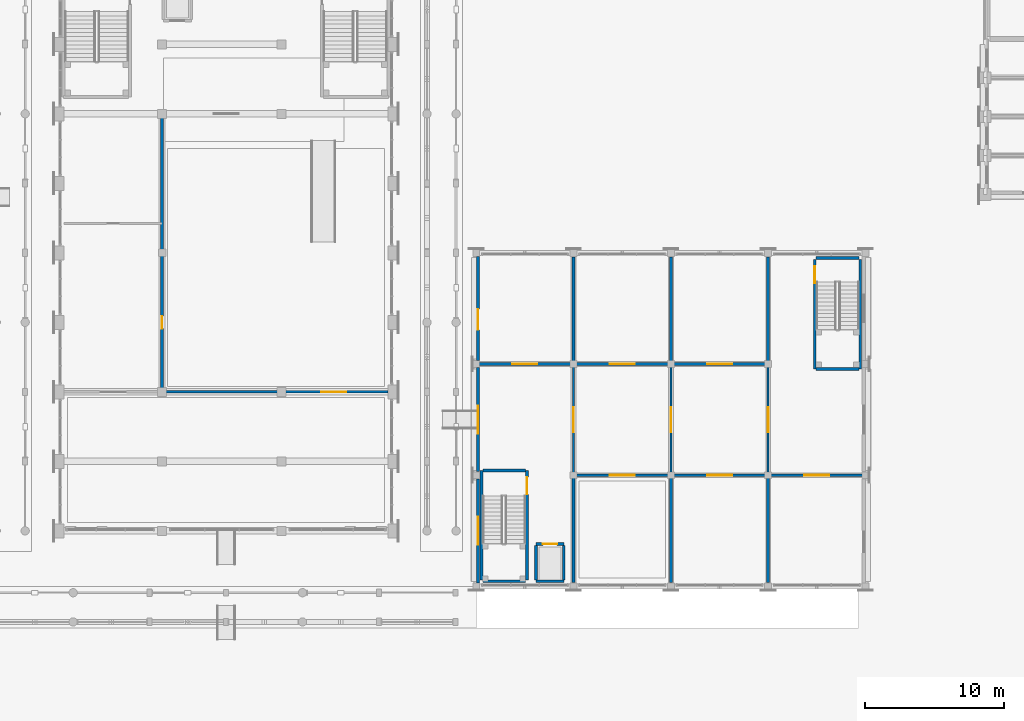
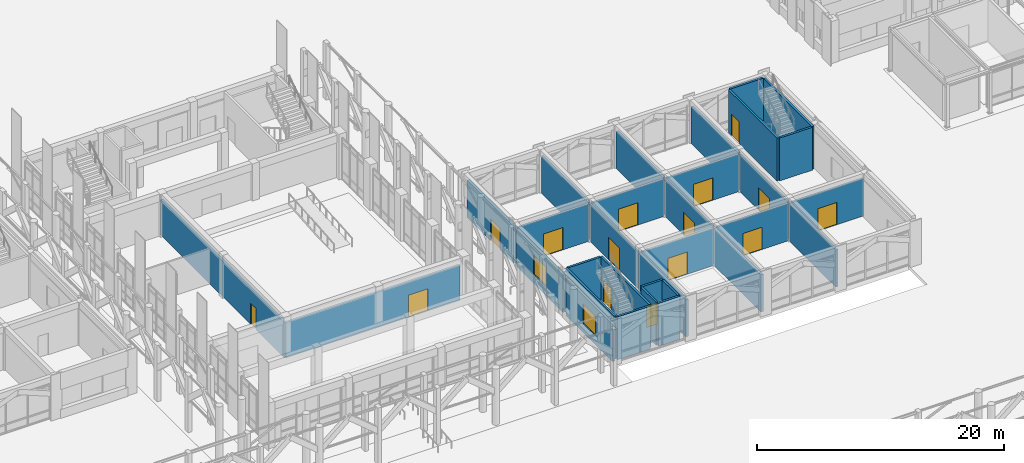
# One storey, part 96 of 135: 32 walls, 15 doors, 2 windows, 17 openings.
"""IFC4 building model written with IfcOpenShell, lengths in metres."""

from ifc_helpers import new_model, si_unit, direction, frame, frame_2d, origin, place, context, subcontext, project, spatial, rectangle, extrude, material, layer, layer_set, type_object, element, fill, save


model = new_model("IFC4")

# Units and contexts
model_context = context("Model", 3, precision=1e-05, world=origin(), true_north=direction((0.0, 1.0)))
body_context = subcontext(model_context, "Body", "Model", "MODEL_VIEW")
ifc_project = project(units=[si_unit("LENGTHUNIT", "METRE"), si_unit("AREAUNIT", "SQUARE_METRE"), si_unit("VOLUMEUNIT", "CUBIC_METRE"), si_unit("PLANEANGLEUNIT", "RADIAN"), si_unit("MASSUNIT", "GRAM", prefix="KILO")], contexts=[model_context])

# Site, building, storey
site_placement = place(None, origin())
site = spatial("IfcSite", under=ifc_project, at=site_placement, CompositionType="ELEMENT")
building_placement = place(site_placement, origin())
building = spatial("IfcBuilding", under=site, at=building_placement, Name="Kiranvali Square Residences", CompositionType="ELEMENT")
storey_placement = place(building_placement, origin())
storey = spatial("IfcBuildingStorey", under=building, at=storey_placement, Name="L00", CompositionType="ELEMENT", Elevation=0.0)

# Wall, opening, door
ifc_material_1 = material(Name="Autoclaved aerated concrete blockwork masonry", Category="masonry")
ifc_layer_1 = layer(ifc_material_1, 0.199951171875)
ifc_layer_set_1 = layer_set([ifc_layer_1], Name="Autoclaved aerated concrete blockwork masonry")
wall_type_1 = type_object("IfcWallType", Name="WL-COR-200", PredefinedType="STANDARD", material=ifc_layer_set_1)
wall_1_placement = place(storey_placement, frame((79.39990234375, 54.0, 0.0), z_axis=(0.0, 0.0, 1.0), x_axis=(1.0, 0.0, 0.0)))
wall_1 = element("IfcWall", 1, at=wall_1_placement, inside=storey, type_object=wall_type_1, Name="L00 architectural wall WL-CH-L00-FOY2", PredefinedType="STANDARD", context=body_context, shape_type="SweptSolid", body=[
    extrude(rectangle(XDim=16.25, YDim=0.199951171875, at=frame_2d((8.125, 0.0))), origin(), (0.0, 0.0, 1.0), 3.491943359375),
])
opening_1_placement = place(wall_1_placement, frame((11.449951171875, 0.0, 0.0)))
opening_1 = element("IfcOpeningElement", 2, at=opening_1_placement, cuts=wall_1, Name="Opening ED-GLZ-180", PredefinedType="OPENING", context=body_context, shape_type="SweptSolid", body=[
    extrude(rectangle(XDim=1.800048828125, YDim=2.199951171875, at=frame_2d((0.89990234375, 1.10009765625))), frame((0.0, 0.10986328125, 0.0), z_axis=(0.0, -1.0, 0.0), x_axis=(1.0, 0.0, 0.0)), (0.0, 0.0, 1.0), 0.219970703125),
])
ifc_material_2 = material(Name="Anodised bronze aluminium framing", Category="aluminium")
door_type_1 = type_object("IfcDoorType", Name="DR-GLZ-1800", OperationType="DOUBLE_DOOR_SINGLE_SWING", PredefinedType="DOOR", material=ifc_material_2)
door_1_placement = place(opening_1_placement, origin())
door_1 = element("IfcDoor", 3, at=door_1_placement, inside=storey, type_object=door_type_1, Name="L00 door DR-L00-2303 (DR-GLZ-1800)", OperationType="DOUBLE_DOOR_SINGLE_SWING", OverallHeight=2.199951171875, OverallWidth=1.800048828125, PredefinedType="DOOR", context=body_context, shape_type="SweptSolid", body=[
    extrude(rectangle(XDim=1.800048828125, YDim=2.199951171875, at=frame_2d((0.89990234375, 1.10009765625))), frame((0.0, 0.02490234375, 0.0), z_axis=(0.0, -1.0, 0.0), x_axis=(1.0, 0.0, 0.0)), (0.0, 0.0, 1.0), 0.050048828125),
])
fill(opening_1, door_1)

wall_2_placement = place(storey_placement, frame((109.14990234375, 48.0, 0.0), z_axis=(0.0, 0.0, 1.0), x_axis=(1.0, 0.0, 0.0)))
wall_2 = element("IfcWall", 4, at=wall_2_placement, inside=storey, type_object=wall_type_1, Name="L00 architectural wall WL-RT-L00-Y0-1", PredefinedType="STANDARD", context=body_context, shape_type="SweptSolid", body=[
    extrude(rectangle(XDim=6.7001953125, YDim=0.199951171875, at=frame_2d((3.35009765625, 0.0))), origin(), (0.0, 0.0, 1.0), 3.672119140625),
])
opening_2_placement = place(wall_2_placement, frame((2.449951171875, 0.0, 0.0)))
opening_2 = element("IfcOpeningElement", 5, at=opening_2_placement, cuts=wall_2, Name="Opening ED-GLZ-180", PredefinedType="OPENING", context=body_context, shape_type="SweptSolid", body=[
    extrude(rectangle(XDim=1.800048828125, YDim=2.199951171875, at=frame_2d((0.89990234375, 1.10009765625))), frame((0.0, 0.10986328125, 0.0), z_axis=(0.0, -1.0, 0.0), x_axis=(1.0, 0.0, 0.0)), (0.0, 0.0, 1.0), 0.219970703125),
])
door_2_placement = place(opening_2_placement, origin())
door_2 = element("IfcDoor", 6, at=door_2_placement, inside=storey, type_object=door_type_1, Name="L00 door DR-L00-2334 (DR-GLZ-1800)", OperationType="DOUBLE_DOOR_SINGLE_SWING", OverallHeight=2.199951171875, OverallWidth=1.800048828125, PredefinedType="DOOR", context=body_context, shape_type="SweptSolid", body=[
    extrude(rectangle(XDim=1.800048828125, YDim=2.199951171875, at=frame_2d((0.89990234375, 1.10009765625))), frame((0.0, 0.02490234375, 0.0), z_axis=(0.0, -1.0, 0.0), x_axis=(1.0, 0.0, 0.0)), (0.0, 0.0, 1.0), 0.050048828125),
])
fill(opening_2, door_2)

wall_3_placement = place(storey_placement, frame((116.14990234375, 48.0, 0.0), z_axis=(0.0, 0.0, 1.0), x_axis=(1.0, 0.0, 0.0)))
wall_3 = element("IfcWall", 7, at=wall_3_placement, inside=storey, type_object=wall_type_1, Name="L00 architectural wall WL-RT-L00-Y0-2", PredefinedType="STANDARD", context=body_context, shape_type="SweptSolid", body=[
    extrude(rectangle(XDim=6.7001953125, YDim=0.199951171875, at=frame_2d((3.35009765625, 0.0))), origin(), (0.0, 0.0, 1.0), 3.672119140625),
])
opening_3_placement = place(wall_3_placement, frame((2.449951171875, 0.0, 0.0)))
opening_3 = element("IfcOpeningElement", 8, at=opening_3_placement, cuts=wall_3, Name="Opening ED-GLZ-180", PredefinedType="OPENING", context=body_context, shape_type="SweptSolid", body=[
    extrude(rectangle(XDim=1.800048828125, YDim=2.199951171875, at=frame_2d((0.89990234375, 1.10009765625))), frame((0.0, 0.10986328125, 0.0), z_axis=(0.0, -1.0, 0.0), x_axis=(1.0, 0.0, 0.0)), (0.0, 0.0, 1.0), 0.219970703125),
])
door_3_placement = place(opening_3_placement, origin())
door_3 = element("IfcDoor", 9, at=door_3_placement, inside=storey, type_object=door_type_1, Name="L00 door DR-L00-2335 (DR-GLZ-1800)", OperationType="DOUBLE_DOOR_SINGLE_SWING", OverallHeight=2.199951171875, OverallWidth=1.800048828125, PredefinedType="DOOR", context=body_context, shape_type="SweptSolid", body=[
    extrude(rectangle(XDim=1.800048828125, YDim=2.199951171875, at=frame_2d((0.89990234375, 1.10009765625))), frame((0.0, 0.02490234375, 0.0), z_axis=(0.0, -1.0, 0.0), x_axis=(1.0, 0.0, 0.0)), (0.0, 0.0, 1.0), 0.050048828125),
])
fill(opening_3, door_3)

wall_4_placement = place(storey_placement, frame((123.14990234375, 48.0, 0.0), z_axis=(0.0, 0.0, 1.0), x_axis=(1.0, 0.0, 0.0)))
wall_4 = element("IfcWall", 10, at=wall_4_placement, inside=storey, type_object=wall_type_1, Name="L00 architectural wall WL-RT-L00-Y0-3", PredefinedType="STANDARD", context=body_context, shape_type="SweptSolid", body=[
    extrude(rectangle(XDim=6.7001953125, YDim=0.199951171875, at=frame_2d((3.35009765625, 0.0))), origin(), (0.0, 0.0, 1.0), 3.672119140625),
])
opening_4_placement = place(wall_4_placement, frame((2.449951171875, 0.0, 0.0)))
opening_4 = element("IfcOpeningElement", 11, at=opening_4_placement, cuts=wall_4, Name="Opening ED-GLZ-180", PredefinedType="OPENING", context=body_context, shape_type="SweptSolid", body=[
    extrude(rectangle(XDim=1.800048828125, YDim=2.199951171875, at=frame_2d((0.89990234375, 1.10009765625))), frame((0.0, 0.10986328125, 0.0), z_axis=(0.0, -1.0, 0.0), x_axis=(1.0, 0.0, 0.0)), (0.0, 0.0, 1.0), 0.219970703125),
])
door_4_placement = place(opening_4_placement, origin())
door_4 = element("IfcDoor", 12, at=door_4_placement, inside=storey, type_object=door_type_1, Name="L00 door DR-L00-2336 (DR-GLZ-1800)", OperationType="DOUBLE_DOOR_SINGLE_SWING", OverallHeight=2.199951171875, OverallWidth=1.800048828125, PredefinedType="DOOR", context=body_context, shape_type="SweptSolid", body=[
    extrude(rectangle(XDim=1.800048828125, YDim=2.199951171875, at=frame_2d((0.89990234375, 1.10009765625))), frame((0.0, 0.02490234375, 0.0), z_axis=(0.0, -1.0, 0.0), x_axis=(1.0, 0.0, 0.0)), (0.0, 0.0, 1.0), 0.050048828125),
])
fill(opening_4, door_4)

wall_5_placement = place(storey_placement, frame((102.14990234375, 56.0, 0.0), z_axis=(0.0, 0.0, 1.0), x_axis=(1.0, 0.0, 0.0)))
wall_5 = element("IfcWall", 13, at=wall_5_placement, inside=storey, type_object=wall_type_1, Name="L00 architectural wall WL-RT-L00-Y1-0", PredefinedType="STANDARD", context=body_context, shape_type="SweptSolid", body=[
    extrude(rectangle(XDim=6.7001953125, YDim=0.199951171875, at=frame_2d((3.35009765625, 0.0))), origin(), (0.0, 0.0, 1.0), 3.672119140625),
])
opening_5_placement = place(wall_5_placement, frame((2.449951171875, 0.0, 0.0)))
opening_5 = element("IfcOpeningElement", 14, at=opening_5_placement, cuts=wall_5, Name="Opening ED-GLZ-180", PredefinedType="OPENING", context=body_context, shape_type="SweptSolid", body=[
    extrude(rectangle(XDim=1.800048828125, YDim=2.199951171875, at=frame_2d((0.89990234375, 1.10009765625))), frame((0.0, 0.10986328125, 0.0), z_axis=(0.0, -1.0, 0.0), x_axis=(1.0, 0.0, 0.0)), (0.0, 0.0, 1.0), 0.219970703125),
])
door_5_placement = place(opening_5_placement, origin())
door_5 = element("IfcDoor", 15, at=door_5_placement, inside=storey, type_object=door_type_1, Name="L00 door DR-L00-2337 (DR-GLZ-1800)", OperationType="DOUBLE_DOOR_SINGLE_SWING", OverallHeight=2.199951171875, OverallWidth=1.800048828125, PredefinedType="DOOR", context=body_context, shape_type="SweptSolid", body=[
    extrude(rectangle(XDim=1.800048828125, YDim=2.199951171875, at=frame_2d((0.89990234375, 1.10009765625))), frame((0.0, 0.02490234375, 0.0), z_axis=(0.0, -1.0, 0.0), x_axis=(1.0, 0.0, 0.0)), (0.0, 0.0, 1.0), 0.050048828125),
])
fill(opening_5, door_5)

wall_6_placement = place(storey_placement, frame((109.14990234375, 56.0, 0.0), z_axis=(0.0, 0.0, 1.0), x_axis=(1.0, 0.0, 0.0)))
wall_6 = element("IfcWall", 16, at=wall_6_placement, inside=storey, type_object=wall_type_1, Name="L00 architectural wall WL-RT-L00-Y1-1", PredefinedType="STANDARD", context=body_context, shape_type="SweptSolid", body=[
    extrude(rectangle(XDim=6.7001953125, YDim=0.199951171875, at=frame_2d((3.35009765625, 0.0))), origin(), (0.0, 0.0, 1.0), 3.672119140625),
])
opening_6_placement = place(wall_6_placement, frame((2.449951171875, 0.0, 0.0)))
opening_6 = element("IfcOpeningElement", 17, at=opening_6_placement, cuts=wall_6, Name="Opening ED-GLZ-180", PredefinedType="OPENING", context=body_context, shape_type="SweptSolid", body=[
    extrude(rectangle(XDim=1.800048828125, YDim=2.199951171875, at=frame_2d((0.89990234375, 1.10009765625))), frame((0.0, 0.10986328125, 0.0), z_axis=(0.0, -1.0, 0.0), x_axis=(1.0, 0.0, 0.0)), (0.0, 0.0, 1.0), 0.219970703125),
])
door_6_placement = place(opening_6_placement, origin())
door_6 = element("IfcDoor", 18, at=door_6_placement, inside=storey, type_object=door_type_1, Name="L00 door DR-L00-2338 (DR-GLZ-1800)", OperationType="DOUBLE_DOOR_SINGLE_SWING", OverallHeight=2.199951171875, OverallWidth=1.800048828125, PredefinedType="DOOR", context=body_context, shape_type="SweptSolid", body=[
    extrude(rectangle(XDim=1.800048828125, YDim=2.199951171875, at=frame_2d((0.89990234375, 1.10009765625))), frame((0.0, 0.02490234375, 0.0), z_axis=(0.0, -1.0, 0.0), x_axis=(1.0, 0.0, 0.0)), (0.0, 0.0, 1.0), 0.050048828125),
])
fill(opening_6, door_6)

wall_7_placement = place(storey_placement, frame((116.14990234375, 56.0, 0.0), z_axis=(0.0, 0.0, 1.0), x_axis=(1.0, 0.0, 0.0)))
wall_7 = element("IfcWall", 19, at=wall_7_placement, inside=storey, type_object=wall_type_1, Name="L00 architectural wall WL-RT-L00-Y1-2", PredefinedType="STANDARD", context=body_context, shape_type="SweptSolid", body=[
    extrude(rectangle(XDim=6.7001953125, YDim=0.199951171875, at=frame_2d((3.35009765625, 0.0))), origin(), (0.0, 0.0, 1.0), 3.672119140625),
])
opening_7_placement = place(wall_7_placement, frame((2.449951171875, 0.0, 0.0)))
opening_7 = element("IfcOpeningElement", 20, at=opening_7_placement, cuts=wall_7, Name="Opening ED-GLZ-180", PredefinedType="OPENING", context=body_context, shape_type="SweptSolid", body=[
    extrude(rectangle(XDim=1.800048828125, YDim=2.199951171875, at=frame_2d((0.89990234375, 1.10009765625))), frame((0.0, 0.10986328125, 0.0), z_axis=(0.0, -1.0, 0.0), x_axis=(1.0, 0.0, 0.0)), (0.0, 0.0, 1.0), 0.219970703125),
])
door_7_placement = place(opening_7_placement, origin())
door_7 = element("IfcDoor", 21, at=door_7_placement, inside=storey, type_object=door_type_1, Name="L00 door DR-L00-2339 (DR-GLZ-1800)", OperationType="DOUBLE_DOOR_SINGLE_SWING", OverallHeight=2.199951171875, OverallWidth=1.800048828125, PredefinedType="DOOR", context=body_context, shape_type="SweptSolid", body=[
    extrude(rectangle(XDim=1.800048828125, YDim=2.199951171875, at=frame_2d((0.89990234375, 1.10009765625))), frame((0.0, 0.02490234375, 0.0), z_axis=(0.0, -1.0, 0.0), x_axis=(1.0, 0.0, 0.0)), (0.0, 0.0, 1.0), 0.050048828125),
])
fill(opening_7, door_7)

ifc_layer_2 = layer(ifc_material_1, 0.219970703125)
ifc_layer_set_2 = layer_set([ifc_layer_2], Name="Autoclaved aerated concrete blockwork masonry")
wall_type_2 = type_object("IfcWallType", Name="WL-DEM-220", PredefinedType="STANDARD", material=ifc_layer_set_2)
wall_8_placement = place(storey_placement, frame((79.39990234375, 54.0, 0.0), z_axis=(0.0, 0.0, 1.0), x_axis=(0.0, 1.0, 0.0)))
wall_8 = element("IfcWall", 22, at=wall_8_placement, inside=storey, type_object=wall_type_2, Name="L00 architectural wall WL-CH-L00-DIV", PredefinedType="STANDARD", context=body_context, shape_type="SweptSolid", body=[
    extrude(rectangle(XDim=20.0, YDim=0.219970703125, at=frame_2d((10.0, 0.0))), origin(), (0.0, 0.0, 1.0), 3.491943359375),
])
opening_8_placement = place(wall_8_placement, frame((4.550048828125, 0.0, 0.0)))
opening_8 = element("IfcOpeningElement", 23, at=opening_8_placement, cuts=wall_8, Name="Opening ID-1", PredefinedType="OPENING", context=body_context, shape_type="SweptSolid", body=[
    extrude(rectangle(XDim=0.89990234375, YDim=2.10009765625, at=frame_2d((0.449951171875, 1.050048828125))), frame((0.0, 0.119873046875, 0.0), z_axis=(0.0, -1.0, 0.0), x_axis=(1.0, 0.0, 0.0)), (0.0, 0.0, 1.0), 0.239990234375),
])
ifc_material_3 = material(Name="Solid seasoned teak hardwood joinery", Category="wood")
door_type_2 = type_object("IfcDoorType", Name="DR-INT-900", OperationType="NOTDEFINED", PredefinedType="DOOR", material=ifc_material_3)
door_8_placement = place(opening_8_placement, frame((0.89990234375, 0.0, 0.0), z_axis=(0.0, 0.0, 1.0), x_axis=(-1.0, 0.0, 0.0)))
door_8 = element("IfcDoor", 24, at=door_8_placement, inside=storey, type_object=door_type_2, Name="L00 door DR-L00-2304 (DR-INT-900)", OperationType="SINGLE_SWING_RIGHT", OverallHeight=2.10009765625, OverallWidth=0.89990234375, PredefinedType="DOOR", context=body_context, shape_type="SweptSolid", body=[
    extrude(rectangle(XDim=0.89990234375, YDim=2.10009765625, at=frame_2d((0.449951171875, 1.050048828125))), frame((0.0, 0.02490234375, 0.0), z_axis=(0.0, -1.0, 0.0), x_axis=(1.0, 0.0, 0.0)), (0.0, 0.0, 1.0), 0.050048828125),
])
fill(opening_8, door_8)

# Walls
for number, where, z_axis, x_axis, name in (
    (25, (109.0, 40.300048828125, 0.0), (0.0, 0.0, 1.0), (0.0, 1.0, 0.0), "L00 architectural wall WL-RT-L00-X1-S"),
    (26, (109.0, 56.10009765625, 0.0), (0.0, 0.0, 1.0), (0.0, 1.0, 0.0), "L00 architectural wall WL-RT-L00-X1-N"),
    (27, (116.0, 40.300048828125, 0.0), (0.0, 0.0, 1.0), (0.0, 1.0, 0.0), "L00 architectural wall WL-RT-L00-X2-S"),
    (28, (116.0, 56.10009765625, 0.0), (0.0, 0.0, 1.0), (0.0, 1.0, 0.0), "L00 architectural wall WL-RT-L00-X2-N"),
    (29, (123.0, 40.300048828125, 0.0), (0.0, 0.0, 1.0), (0.0, 1.0, 0.0), "L00 architectural wall WL-RT-L00-X3-S"),
    (30, (123.0, 56.10009765625, 0.0), (0.0, 0.0, 1.0), (0.0, 1.0, 0.0), "L00 architectural wall WL-RT-L00-X3-N"),
):
    element("IfcWall", number, at=place(storey_placement, frame(where, z_axis=z_axis, x_axis=x_axis)), inside=storey, type_object=wall_type_2, Name=name, PredefinedType="STANDARD", context=body_context, shape_type="SweptSolid", body=[
        extrude(rectangle(XDim=7.599853515625, YDim=0.219970703125, at=frame_2d((3.7998046875, 0.0))), origin(), (0.0, 0.0, 1.0), 3.672119140625),
    ])

# Wall, opening, window
ifc_material_4 = material(Name="Breathable lime-rendered clay brick masonry", Category="masonry")
ifc_layer_3 = layer(ifc_material_4, 0.25)
ifc_layer_set_3 = layer_set([ifc_layer_3], Name="Breathable lime-rendered clay brick masonry")
wall_type_3 = type_object("IfcWallType", Name="WL-EXT-250", PredefinedType="STANDARD", material=ifc_layer_set_3)
wall_9_placement = place(storey_placement, frame((102.125, 40.25341796875, 0.0), z_axis=(0.0, 0.0, 1.0), x_axis=(0.0, 1.0, 0.0)))
wall_9 = element("IfcWall", 31, at=wall_9_placement, inside=storey, type_object=wall_type_3, Name="L00 exterior wall RT-L00-W-0", PredefinedType="STANDARD", context=body_context, shape_type="SweptSolid", body=[
    extrude(rectangle(XDim=7.4931640625, YDim=0.25, at=frame_2d((3.74658203125, 0.0))), origin(), (0.0, 0.0, 1.0), 3.672119140625),
])
opening_9_placement = place(wall_9_placement, frame((2.74658203125, 0.0, 0.8798828125)))
opening_9 = element("IfcOpeningElement", 32, at=opening_9_placement, cuts=wall_9, Name="Opening W-08", PredefinedType="OPENING", context=body_context, shape_type="SweptSolid", body=[
    extrude(rectangle(XDim=2.0, YDim=1.949951171875, at=frame_2d((1.0, 0.97509765625))), frame((0.0, 0.135009765625, 0.0), z_axis=(0.0, -1.0, 0.0), x_axis=(1.0, 0.0, 0.0)), (0.0, 0.0, 1.0), 0.27001953125),
])
ifc_material_5 = material(Name="Solar-control low-e double glazing", Category="glass")
window_type = type_object("IfcWindowType", Name="WIN-PAV-2000x1950", PartitioningType="TRIPLE_PANEL_VERTICAL", PredefinedType="WINDOW", material=ifc_material_5)
window_1_placement = place(opening_9_placement, origin())
window_1 = element("IfcWindow", 33, at=window_1_placement, inside=storey, type_object=window_type, Name="L00 recessed window RT-L00-W-0", OverallHeight=1.949951171875, OverallWidth=2.0, PartitioningType="TRIPLE_PANEL_VERTICAL", PredefinedType="WINDOW", context=body_context, shape_type="SweptSolid", body=[
    extrude(rectangle(XDim=2.0, YDim=1.949951171875, at=frame_2d((1.0, 0.97509765625))), frame((0.0, 0.030029296875, 0.0), z_axis=(0.0, -1.0, 0.0), x_axis=(1.0, 0.0, 0.0)), (0.0, 0.0, 1.0), 0.06005859375),
])
fill(opening_9, window_1)

wall_10_placement = place(storey_placement, frame((102.125, 48.25341796875, 0.0), z_axis=(0.0, 0.0, 1.0), x_axis=(0.0, 1.0, 0.0)))
wall_10 = element("IfcWall", 34, at=wall_10_placement, inside=storey, type_object=wall_type_3, Name="L00 exterior wall RT-L00-W-1", PredefinedType="STANDARD", context=body_context, shape_type="SweptSolid", body=[
    extrude(rectangle(XDim=7.4931640625, YDim=0.25, at=frame_2d((3.74658203125, 0.0))), origin(), (0.0, 0.0, 1.0), 3.672119140625),
])
opening_10_placement = place(wall_10_placement, frame((2.74658203125, 0.0, 0.8798828125)))
opening_10 = element("IfcOpeningElement", 35, at=opening_10_placement, cuts=wall_10, Name="Opening W-08", PredefinedType="OPENING", context=body_context, shape_type="SweptSolid", body=[
    extrude(rectangle(XDim=2.0, YDim=1.949951171875, at=frame_2d((1.0, 0.97509765625))), frame((0.0, 0.135009765625, 0.0), z_axis=(0.0, -1.0, 0.0), x_axis=(1.0, 0.0, 0.0)), (0.0, 0.0, 1.0), 0.27001953125),
])
window_2_placement = place(opening_10_placement, origin())
window_2 = element("IfcWindow", 36, at=window_2_placement, inside=storey, type_object=window_type, Name="L00 recessed window RT-L00-W-1", OverallHeight=1.949951171875, OverallWidth=2.0, PartitioningType="TRIPLE_PANEL_VERTICAL", PredefinedType="WINDOW", context=body_context, shape_type="SweptSolid", body=[
    extrude(rectangle(XDim=2.0, YDim=1.949951171875, at=frame_2d((1.0, 0.97509765625))), frame((0.0, 0.030029296875, 0.0), z_axis=(0.0, -1.0, 0.0), x_axis=(1.0, 0.0, 0.0)), (0.0, 0.0, 1.0), 0.06005859375),
])
fill(opening_10, window_2)

# Wall, opening, door
wall_11_placement = place(storey_placement, frame((102.125, 56.25341796875, 0.0), z_axis=(0.0, 0.0, 1.0), x_axis=(0.0, 1.0, 0.0)))
wall_11 = element("IfcWall", 37, at=wall_11_placement, inside=storey, type_object=wall_type_3, Name="L00 exterior wall RT-L00-W-2", PredefinedType="STANDARD", context=body_context, shape_type="SweptSolid", body=[
    extrude(rectangle(XDim=7.4931640625, YDim=0.25, at=frame_2d((3.74658203125, 0.0))), origin(), (0.0, 0.0, 1.0), 3.672119140625),
])
opening_11_placement = place(wall_11_placement, frame((2.199951171875, 0.0, 0.0)))
opening_11 = element("IfcOpeningElement", 38, at=opening_11_placement, cuts=wall_11, Name="Opening ED-EX-150", PredefinedType="OPENING", context=body_context, shape_type="SweptSolid", body=[
    extrude(rectangle(XDim=1.5, YDim=2.14990234375, at=frame_2d((0.75, 1.074951171875))), frame((0.0, 0.135009765625, 0.0), z_axis=(0.0, -1.0, 0.0), x_axis=(1.0, 0.0, 0.0)), (0.0, 0.0, 1.0), 0.27001953125),
])
ifc_material_6 = material(Name="Fire-rated acoustic hardwood and mineral-core door assembly", Category="wood")
door_type_3 = type_object("IfcDoorType", Name="DR-EXIT-1500", OperationType="NOTDEFINED", PredefinedType="DOOR", material=ifc_material_6)
door_9_placement = place(opening_11_placement, origin())
door_9 = element("IfcDoor", 39, at=door_9_placement, inside=storey, type_object=door_type_3, Name="RT pavilion ground final exit door", OperationType="SINGLE_SWING_RIGHT", OverallHeight=2.14990234375, OverallWidth=1.5, PredefinedType="DOOR", context=body_context, shape_type="SweptSolid", body=[
    extrude(rectangle(XDim=1.5, YDim=2.14990234375, at=frame_2d((0.75, 1.074951171875))), frame((0.0, 0.02490234375, 0.0), z_axis=(0.0, -1.0, 0.0), x_axis=(1.0, 0.0, 0.0)), (0.0, 0.0, 1.0), 0.050048828125),
])
fill(opening_11, door_9)

ifc_material_7 = material(Name="Acoustic gypsum board drylined partition", Category="gypsum")
ifc_layer_4 = layer(ifc_material_7, 0.14990234375)
ifc_layer_set_4 = layer_set([ifc_layer_4], Name="Acoustic gypsum board drylined partition")
wall_type_4 = type_object("IfcWallType", Name="WL-PRT-150", PredefinedType="PARTITIONING", material=ifc_layer_set_4)
wall_12_placement = place(storey_placement, frame((109.0, 48.10009765625, 0.0), z_axis=(0.0, 0.0, 1.0), x_axis=(0.0, 1.0, 0.0)))
wall_12 = element("IfcWall", 40, at=wall_12_placement, inside=storey, type_object=wall_type_4, Name="L00 architectural wall WL-RT-L00-X1-M", PredefinedType="PARTITIONING", context=body_context, shape_type="SweptSolid", body=[
    extrude(rectangle(XDim=7.7998046875, YDim=0.14990234375, at=frame_2d((3.89990234375, 0.0))), origin(), (0.0, 0.0, 1.0), 3.672119140625),
])
opening_12_placement = place(wall_12_placement, frame((3.0, 0.0, 0.0)))
opening_12 = element("IfcOpeningElement", 41, at=opening_12_placement, cuts=wall_12, Name="Opening ED-GLZ-180", PredefinedType="OPENING", context=body_context, shape_type="SweptSolid", body=[
    extrude(rectangle(XDim=1.800048828125, YDim=2.199951171875, at=frame_2d((0.89990234375, 1.10009765625))), frame((0.0, 0.0849609375, 0.0), z_axis=(0.0, -1.0, 0.0), x_axis=(1.0, 0.0, 0.0)), (0.0, 0.0, 1.0), 0.169921875),
])
door_10_placement = place(opening_12_placement, origin())
door_10 = element("IfcDoor", 42, at=door_10_placement, inside=storey, type_object=door_type_1, Name="L00 door DR-L00-2340 (DR-GLZ-1800)", OperationType="DOUBLE_DOOR_SINGLE_SWING", OverallHeight=2.199951171875, OverallWidth=1.800048828125, PredefinedType="DOOR", context=body_context, shape_type="SweptSolid", body=[
    extrude(rectangle(XDim=1.800048828125, YDim=2.199951171875, at=frame_2d((0.89990234375, 1.10009765625))), frame((0.0, 0.02490234375, 0.0), z_axis=(0.0, -1.0, 0.0), x_axis=(1.0, 0.0, 0.0)), (0.0, 0.0, 1.0), 0.050048828125),
])
fill(opening_12, door_10)

wall_13_placement = place(storey_placement, frame((116.0, 48.10009765625, 0.0), z_axis=(0.0, 0.0, 1.0), x_axis=(0.0, 1.0, 0.0)))
wall_13 = element("IfcWall", 43, at=wall_13_placement, inside=storey, type_object=wall_type_4, Name="L00 architectural wall WL-RT-L00-X2-M", PredefinedType="PARTITIONING", context=body_context, shape_type="SweptSolid", body=[
    extrude(rectangle(XDim=7.7998046875, YDim=0.14990234375, at=frame_2d((3.89990234375, 0.0))), origin(), (0.0, 0.0, 1.0), 3.672119140625),
])
opening_13_placement = place(wall_13_placement, frame((3.0, 0.0, 0.0)))
opening_13 = element("IfcOpeningElement", 44, at=opening_13_placement, cuts=wall_13, Name="Opening ED-GLZ-180", PredefinedType="OPENING", context=body_context, shape_type="SweptSolid", body=[
    extrude(rectangle(XDim=1.800048828125, YDim=2.199951171875, at=frame_2d((0.89990234375, 1.10009765625))), frame((0.0, 0.0849609375, 0.0), z_axis=(0.0, -1.0, 0.0), x_axis=(1.0, 0.0, 0.0)), (0.0, 0.0, 1.0), 0.169921875),
])
door_11_placement = place(opening_13_placement, origin())
door_11 = element("IfcDoor", 45, at=door_11_placement, inside=storey, type_object=door_type_1, Name="L00 door DR-L00-2341 (DR-GLZ-1800)", OperationType="DOUBLE_DOOR_SINGLE_SWING", OverallHeight=2.199951171875, OverallWidth=1.800048828125, PredefinedType="DOOR", context=body_context, shape_type="SweptSolid", body=[
    extrude(rectangle(XDim=1.800048828125, YDim=2.199951171875, at=frame_2d((0.89990234375, 1.10009765625))), frame((0.0, 0.02490234375, 0.0), z_axis=(0.0, -1.0, 0.0), x_axis=(1.0, 0.0, 0.0)), (0.0, 0.0, 1.0), 0.050048828125),
])
fill(opening_13, door_11)

wall_14_placement = place(storey_placement, frame((123.0, 48.10009765625, 0.0), z_axis=(0.0, 0.0, 1.0), x_axis=(0.0, 1.0, 0.0)))
wall_14 = element("IfcWall", 46, at=wall_14_placement, inside=storey, type_object=wall_type_4, Name="L00 architectural wall WL-RT-L00-X3-M", PredefinedType="PARTITIONING", context=body_context, shape_type="SweptSolid", body=[
    extrude(rectangle(XDim=7.7998046875, YDim=0.14990234375, at=frame_2d((3.89990234375, 0.0))), origin(), (0.0, 0.0, 1.0), 3.672119140625),
])
opening_14_placement = place(wall_14_placement, frame((3.0, 0.0, 0.0)))
opening_14 = element("IfcOpeningElement", 47, at=opening_14_placement, cuts=wall_14, Name="Opening ED-GLZ-180", PredefinedType="OPENING", context=body_context, shape_type="SweptSolid", body=[
    extrude(rectangle(XDim=1.800048828125, YDim=2.199951171875, at=frame_2d((0.89990234375, 1.10009765625))), frame((0.0, 0.0849609375, 0.0), z_axis=(0.0, -1.0, 0.0), x_axis=(1.0, 0.0, 0.0)), (0.0, 0.0, 1.0), 0.169921875),
])
door_12_placement = place(opening_14_placement, origin())
door_12 = element("IfcDoor", 48, at=door_12_placement, inside=storey, type_object=door_type_1, Name="L00 door DR-L00-2342 (DR-GLZ-1800)", OperationType="DOUBLE_DOOR_SINGLE_SWING", OverallHeight=2.199951171875, OverallWidth=1.800048828125, PredefinedType="DOOR", context=body_context, shape_type="SweptSolid", body=[
    extrude(rectangle(XDim=1.800048828125, YDim=2.199951171875, at=frame_2d((0.89990234375, 1.10009765625))), frame((0.0, 0.02490234375, 0.0), z_axis=(0.0, -1.0, 0.0), x_axis=(1.0, 0.0, 0.0)), (0.0, 0.0, 1.0), 0.050048828125),
])
fill(opening_14, door_12)

# Walls
ifc_layer_5 = layer(ifc_material_1, 0.199951171875)
ifc_layer_set_5 = layer_set([ifc_layer_5], Name="Autoclaved aerated concrete blockwork masonry")
wall_type_5 = type_object("IfcWallType", Name="WL-SHF-200", PredefinedType="STANDARD", material=ifc_layer_set_5)
wall_15_placement = place(storey_placement, frame((102.3798828125, 40.47998046875, 0.0), z_axis=(0.0, 0.0, 1.0), x_axis=(0.0, 1.0, 0.0)))
element("IfcWall", 49, at=wall_15_placement, inside=storey, type_object=wall_type_5, Name="L00 architectural wall WL-RT-L00-S1W", PredefinedType="STANDARD", context=body_context, shape_type="SweptSolid", body=[
    extrude(rectangle(XDim=7.8701171875, YDim=0.199951171875, at=frame_2d((3.93505859375, 0.0))), origin(), (0.0, 0.0, 1.0), 4.239990234375),
])
for number, where, z_axis, x_axis, name in (
    (50, (102.47998046875, 40.3701171875, 0.0), (0.0, 0.0, 1.0), (1.0, 0.0, 0.0), "L00 architectural wall WL-RT-L00-S1S"),
    (51, (102.47998046875, 48.35009765625, 0.0), (0.0, 0.0, 1.0), (1.0, 0.0, 0.0), "L00 architectural wall WL-RT-L00-S1N"),
):
    element("IfcWall", number, at=place(storey_placement, frame(where, z_axis=z_axis, x_axis=x_axis)), inside=storey, type_object=wall_type_5, Name=name, PredefinedType="STANDARD", context=body_context, shape_type="SweptSolid", body=[
        extrude(rectangle(XDim=3.070068359375, YDim=0.199951171875, at=frame_2d((1.53515625, 0.0))), origin(), (0.0, 0.0, 1.0), 4.239990234375),
    ])

# Wall, opening, door
wall_16_placement = place(storey_placement, frame((105.64990234375, 40.47998046875, 0.0), z_axis=(0.0, 0.0, 1.0), x_axis=(0.0, 1.0, 0.0)))
wall_16 = element("IfcWall", 52, at=wall_16_placement, inside=storey, type_object=wall_type_5, Name="L00 architectural wall WL-RT-L00-S1E", PredefinedType="STANDARD", context=body_context, shape_type="SweptSolid", body=[
    extrude(rectangle(XDim=7.8701171875, YDim=0.199951171875, at=frame_2d((3.93505859375, 0.0))), origin(), (0.0, 0.0, 1.0), 4.239990234375),
])
opening_15_placement = place(wall_16_placement, frame((6.148193359375, 0.0, 0.0)))
opening_15 = element("IfcOpeningElement", 53, at=opening_15_placement, cuts=wall_16, Name="Opening FD-ST-120", PredefinedType="OPENING", context=body_context, shape_type="SweptSolid", body=[
    extrude(rectangle(XDim=1.239990234375, YDim=2.14990234375, at=frame_2d((0.6201171875, 1.074951171875))), frame((0.0, 0.10986328125, 0.0), z_axis=(0.0, -1.0, 0.0), x_axis=(1.0, 0.0, 0.0)), (0.0, 0.0, 1.0), 0.219970703125),
])
door_type_4 = type_object("IfcDoorType", Name="DR-FD120-1200", OperationType="NOTDEFINED", PredefinedType="DOOR", material=ifc_material_6)
door_13_placement = place(opening_15_placement, origin())
door_13 = element("IfcDoor", 54, at=door_13_placement, inside=storey, type_object=door_type_4, Name="L00 door DR-L00-2331 (DR-FD120-1200)", OperationType="SINGLE_SWING_LEFT", OverallHeight=2.14990234375, OverallWidth=1.239990234375, PredefinedType="DOOR", context=body_context, shape_type="SweptSolid", body=[
    extrude(rectangle(XDim=1.239990234375, YDim=2.14990234375, at=frame_2d((0.6201171875, 1.074951171875))), frame((0.0, 0.02490234375, 0.0), z_axis=(0.0, -1.0, 0.0), x_axis=(1.0, 0.0, 0.0)), (0.0, 0.0, 1.0), 0.050048828125),
])
fill(opening_15, door_13)

# Walls
wall_17_placement = place(storey_placement, frame((129.6201171875, 55.64990234375, 0.0), z_axis=(0.0, 0.0, 1.0), x_axis=(0.0, 1.0, 0.0)))
element("IfcWall", 55, at=wall_17_placement, inside=storey, type_object=wall_type_5, Name="L00 architectural wall WL-RT-L00-S2E", PredefinedType="STANDARD", context=body_context, shape_type="SweptSolid", body=[
    extrude(rectangle(XDim=7.8701171875, YDim=0.199951171875, at=frame_2d((3.93505859375, 0.0))), origin(), (0.0, 0.0, 1.0), 4.239990234375),
])
for number, where, z_axis, x_axis, name in (
    (56, (126.449951171875, 63.6298828125, 0.0), (0.0, 0.0, 1.0), (1.0, 0.0, 0.0), "L00 architectural wall WL-RT-L00-S2N"),
    (57, (126.449951171875, 55.64990234375, 0.0), (0.0, 0.0, 1.0), (1.0, 0.0, 0.0), "L00 architectural wall WL-RT-L00-S2S"),
):
    element("IfcWall", number, at=place(storey_placement, frame(where, z_axis=z_axis, x_axis=x_axis)), inside=storey, type_object=wall_type_5, Name=name, PredefinedType="STANDARD", context=body_context, shape_type="SweptSolid", body=[
        extrude(rectangle(XDim=3.070068359375, YDim=0.199951171875, at=frame_2d((1.53515625, 0.0))), origin(), (0.0, 0.0, 1.0), 4.239990234375),
    ])

# Wall, opening, door
wall_18_placement = place(storey_placement, frame((126.35009765625, 55.64990234375, 0.0), z_axis=(0.0, 0.0, 1.0), x_axis=(0.0, 1.0, 0.0)))
wall_18 = element("IfcWall", 58, at=wall_18_placement, inside=storey, type_object=wall_type_5, Name="L00 architectural wall WL-RT-L00-S2W", PredefinedType="STANDARD", context=body_context, shape_type="SweptSolid", body=[
    extrude(rectangle(XDim=7.8701171875, YDim=0.199951171875, at=frame_2d((3.93505859375, 0.0))), origin(), (0.0, 0.0, 1.0), 4.239990234375),
])
opening_16_placement = place(wall_18_placement, frame((6.148193359375, 0.0, 0.0)))
opening_16 = element("IfcOpeningElement", 59, at=opening_16_placement, cuts=wall_18, Name="Opening FD-ST-120", PredefinedType="OPENING", context=body_context, shape_type="SweptSolid", body=[
    extrude(rectangle(XDim=1.239990234375, YDim=2.14990234375, at=frame_2d((0.6201171875, 1.074951171875))), frame((0.0, 0.10986328125, 0.0), z_axis=(0.0, -1.0, 0.0), x_axis=(1.0, 0.0, 0.0)), (0.0, 0.0, 1.0), 0.219970703125),
])
door_14_placement = place(opening_16_placement, frame((1.239990234375, 0.0, 0.0), z_axis=(0.0, 0.0, 1.0), x_axis=(-1.0, 0.0, 0.0)))
door_14 = element("IfcDoor", 60, at=door_14_placement, inside=storey, type_object=door_type_4, Name="L00 door DR-L00-2332 (DR-FD120-1200)", OperationType="SINGLE_SWING_RIGHT", OverallHeight=2.14990234375, OverallWidth=1.239990234375, PredefinedType="DOOR", context=body_context, shape_type="SweptSolid", body=[
    extrude(rectangle(XDim=1.239990234375, YDim=2.14990234375, at=frame_2d((0.6201171875, 1.074951171875))), frame((0.0, 0.02490234375, 0.0), z_axis=(0.0, -1.0, 0.0), x_axis=(1.0, 0.0, 0.0)), (0.0, 0.0, 1.0), 0.050048828125),
])
fill(opening_16, door_14)

wall_19_placement = place(storey_placement, frame((106.300048828125, 43.050048828125, 0.0), z_axis=(0.0, 0.0, 1.0), x_axis=(1.0, 0.0, 0.0)))
wall_19 = element("IfcWall", 61, at=wall_19_placement, inside=storey, type_object=wall_type_5, Name="L00 architectural wall WL-RT-L00-LFN", PredefinedType="STANDARD", context=body_context, shape_type="SweptSolid", body=[
    extrude(rectangle(XDim=2.0, YDim=0.199951171875, at=frame_2d((1.0, 0.0))), origin(), (0.0, 0.0, 1.0), 4.239990234375),
])
opening_17_placement = place(wall_19_placement, frame((0.489990234375, 0.0, 0.0)))
opening_17 = element("IfcOpeningElement", 62, at=opening_17_placement, cuts=wall_19, Name="Opening LD-PAX-100", PredefinedType="OPENING", context=body_context, shape_type="SweptSolid", body=[
    extrude(rectangle(XDim=1.02001953125, YDim=2.14990234375, at=frame_2d((0.510009765625, 1.074951171875))), frame((0.0, 0.10986328125, 0.0), z_axis=(0.0, -1.0, 0.0), x_axis=(1.0, 0.0, 0.0)), (0.0, 0.0, 1.0), 0.219970703125),
])
door_type_5 = type_object("IfcDoorType", Name="DR-LIFT-1000", OperationType="SLIDING_TO_RIGHT", PredefinedType="DOOR", material=ifc_material_6)
door_15_placement = place(opening_17_placement, origin())
door_15 = element("IfcDoor", 63, at=door_15_placement, inside=storey, type_object=door_type_5, Name="L00 door DR-L00-2333 (DR-LIFT-1000)", OperationType="SLIDING_TO_RIGHT", OverallHeight=2.14990234375, OverallWidth=1.02001953125, PredefinedType="DOOR", context=body_context, shape_type="SweptSolid", body=[
    extrude(rectangle(XDim=1.02001953125, YDim=2.14990234375, at=frame_2d((0.510009765625, 1.074951171875))), frame((0.0, 0.02490234375, 0.0), z_axis=(0.0, -1.0, 0.0), x_axis=(1.0, 0.0, 0.0)), (0.0, 0.0, 1.0), 0.050048828125),
])
fill(opening_17, door_15)

# Walls
wall_20_placement = place(storey_placement, frame((106.300048828125, 40.3701171875, 0.0), z_axis=(0.0, 0.0, 1.0), x_axis=(1.0, 0.0, 0.0)))
element("IfcWall", 64, at=wall_20_placement, inside=storey, type_object=wall_type_5, Name="L00 architectural wall WL-RT-L00-LFS", PredefinedType="STANDARD", context=body_context, shape_type="SweptSolid", body=[
    extrude(rectangle(XDim=2.0, YDim=0.199951171875, at=frame_2d((1.0, 0.0))), origin(), (0.0, 0.0, 1.0), 4.239990234375),
])
for number, where, z_axis, x_axis, name in (
    (65, (106.300048828125, 40.47998046875, 0.0), (0.0, 0.0, 1.0), (0.0, 1.0, 0.0), "L00 architectural wall WL-RT-L00-LFW"),
    (66, (108.300048828125, 40.47998046875, 0.0), (0.0, 0.0, 1.0), (0.0, 1.0, 0.0), "L00 architectural wall WL-RT-L00-LFE"),
):
    element("IfcWall", number, at=place(storey_placement, frame(where, z_axis=z_axis, x_axis=x_axis)), inside=storey, type_object=wall_type_5, Name=name, PredefinedType="STANDARD", context=body_context, shape_type="SweptSolid", body=[
        extrude(rectangle(XDim=2.469970703125, YDim=0.199951171875, at=frame_2d((1.23486328125, 0.0))), origin(), (0.0, 0.0, 1.0), 4.239990234375),
    ])

save(model, "model.ifc")
